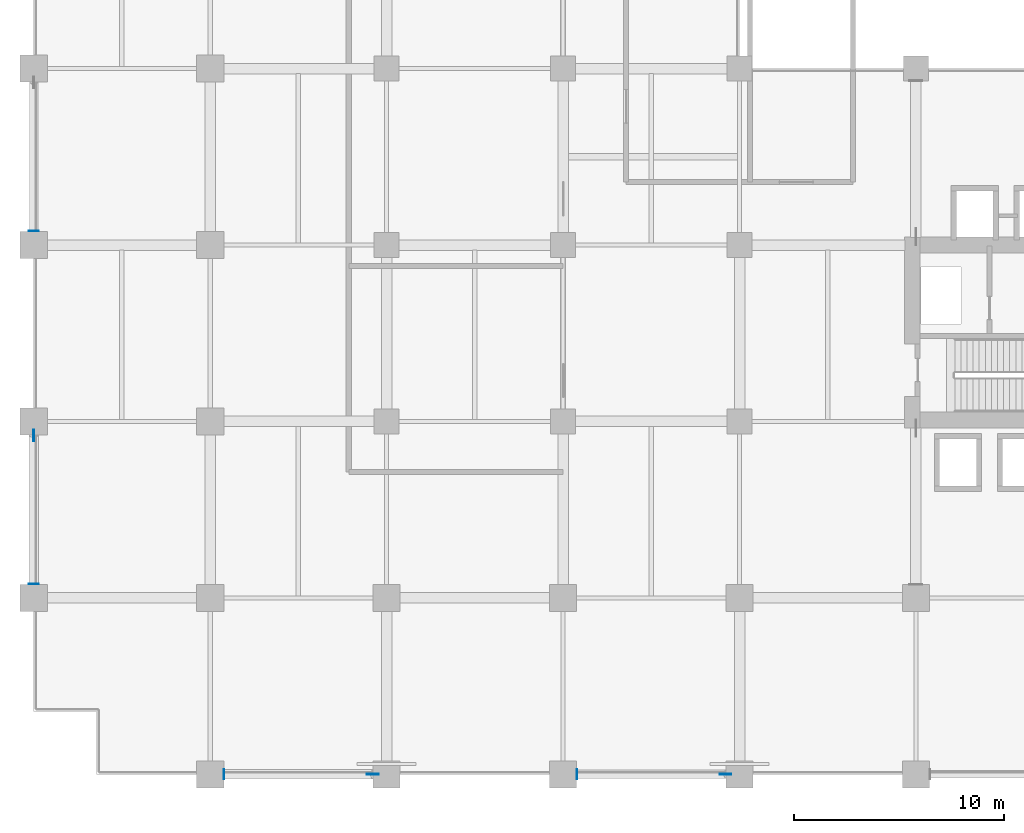
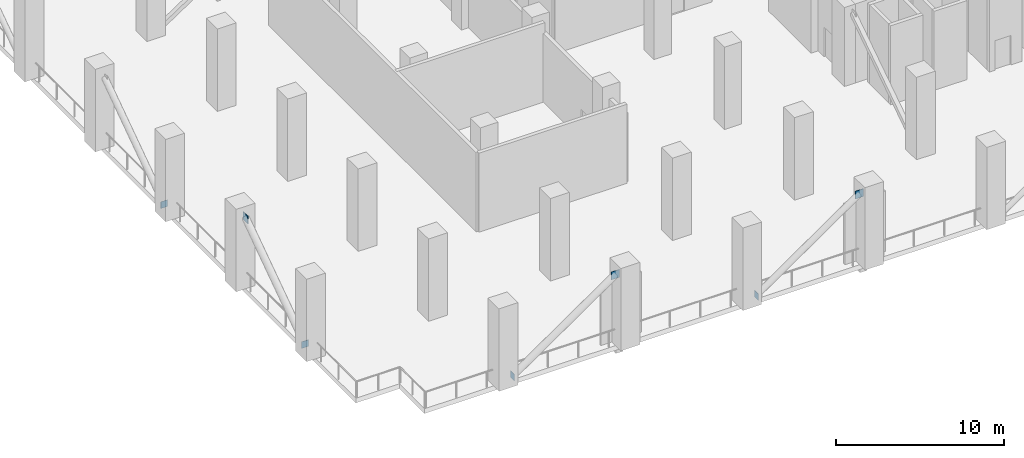
# One storey, part 6 of 19: 7 plates.
"""IFC4 building model written with IfcOpenShell, lengths in metres."""

from ifc_helpers import new_model, si_unit, direction, frame, origin, origin_2d, place, context, subcontext, project, spatial, rectangle, extrude, material, layer, layer_set, type_object, element, save


model = new_model("IFC4")

# Units and contexts
model_context = context("Model", 3, precision=1e-05, world=origin(), true_north=direction((0.0, 1.0)))
body_context = subcontext(model_context, "Body", "Model", "MODEL_VIEW")
ifc_project = project(units=[si_unit("LENGTHUNIT", "METRE"), si_unit("AREAUNIT", "SQUARE_METRE"), si_unit("VOLUMEUNIT", "CUBIC_METRE"), si_unit("PLANEANGLEUNIT", "RADIAN"), si_unit("MASSUNIT", "GRAM", prefix="KILO")], contexts=[model_context])

# Site, building, storey
site_placement = place(None, origin())
site = spatial("IfcSite", under=ifc_project, at=site_placement, CompositionType="ELEMENT")
building_placement = place(site_placement, origin())
building = spatial("IfcBuilding", under=site, at=building_placement, Name="Koriwani Terraces Tower", CompositionType="ELEMENT")
storey_placement = place(building_placement, frame((0.0, 0.0, 94.0)))
storey = spatial("IfcBuildingStorey", under=building, at=storey_placement, Name="L22", CompositionType="ELEMENT", Elevation=94.0)

# Plates
ifc_material = material(Name="Steel ASTM A572 Grade 50", Category="steel")
ifc_layer_1 = layer(ifc_material, 0.02490234375, Name="Steel ASTM A572 Grade 50")
ifc_layer_set_1 = layer_set([ifc_layer_1], Name="Steel ASTM A572 Grade 50")
plate_type_1 = type_object("IfcPlateType", Name="STEEL_CAP_PLATE_25", PredefinedType="USERDEFINED", material=ifc_layer_set_1)
for number, where, z_axis, x_axis, name in (
    (1, (9.06298828125, 0.0, 0.03271484375), (0.0, 0.0, 1.0), (1.0, 0.0, 0.0), "Brace End Cap Plate BT-L22-BS1"),
    (2, (25.86279296875, 0.0, 0.03271484375), (0.0, 0.0, 1.0), (1.0, 0.0, 0.0), "Brace End Cap Plate BT-L22-BS2"),
    (3, (0.0, 9.06298828125, 0.03271484375), (0.0, 0.0, 1.0), (0.0, 1.0, 0.0), "Brace End Cap Plate BT-L22-BW1"),
    (4, (0.0, 25.86279296875, 0.03271484375), (0.0, 0.0, 1.0), (0.0, 1.0, 0.0), "Brace End Cap Plate BT-L22-BW2"),
):
    element("IfcPlate", number, at=place(storey_placement, frame(where, z_axis=z_axis, x_axis=x_axis)), inside=storey, type_object=plate_type_1, Name=name, ObjectType="FLANGE_PLATE", PredefinedType="USERDEFINED", context=body_context, shape_type="SweptSolid", body=[
        extrude(rectangle(XDim=0.02490234375, YDim=0.47998046875, at=origin_2d()), origin(), (0.0, 0.0, 1.0), 0.47998046875),
    ])
ifc_layer_2 = layer(ifc_material, 0.0400390625, Name="Steel ASTM A572 Grade 50")
ifc_layer_set_2 = layer_set([ifc_layer_2], Name="Steel ASTM A572 Grade 50")
plate_type_2 = type_object("IfcPlateType", Name="STEEL_GUSSET_PLATE_40", PredefinedType="USERDEFINED", material=ifc_layer_set_2)
for number, where, z_axis, x_axis, name in (
    (5, (16.13720703125, 0.0, 4.897216796875), (0.0, 0.0, 1.0), (1.0, 0.0, 0.0), "Brace Node Gusset Plate BT-L22-BS1"),
    (6, (32.93701171875, 0.0, 4.897216796875), (0.0, 0.0, 1.0), (1.0, 0.0, 0.0), "Brace Node Gusset Plate BT-L22-BS2"),
    (7, (0.0, 16.13720703125, 4.897216796875), (0.0, 0.0, 1.0), (0.0, 1.0, 0.0), "Brace Node Gusset Plate BT-L22-BW1"),
):
    element("IfcPlate", number, at=place(storey_placement, frame(where, z_axis=z_axis, x_axis=x_axis)), inside=storey, type_object=plate_type_2, Name=name, ObjectType="GUSSET_PLATE", PredefinedType="USERDEFINED", context=body_context, shape_type="SweptSolid", body=[
        extrude(rectangle(XDim=0.56005859375, YDim=0.0400390625, at=origin_2d()), origin(), (0.0, 0.0, 1.0), 0.56005859375),
    ])

save(model, "model.ifc")
